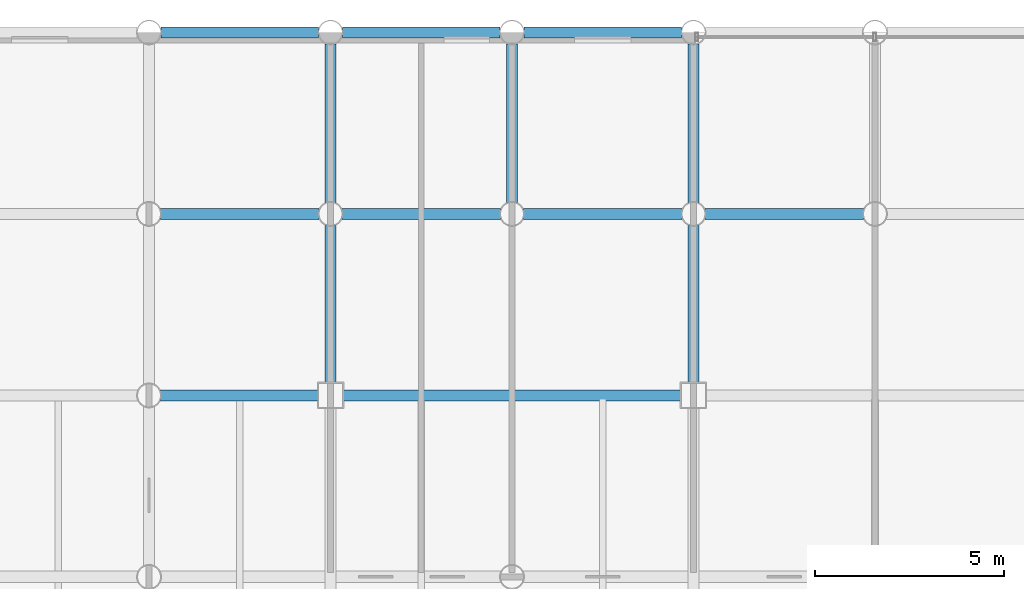
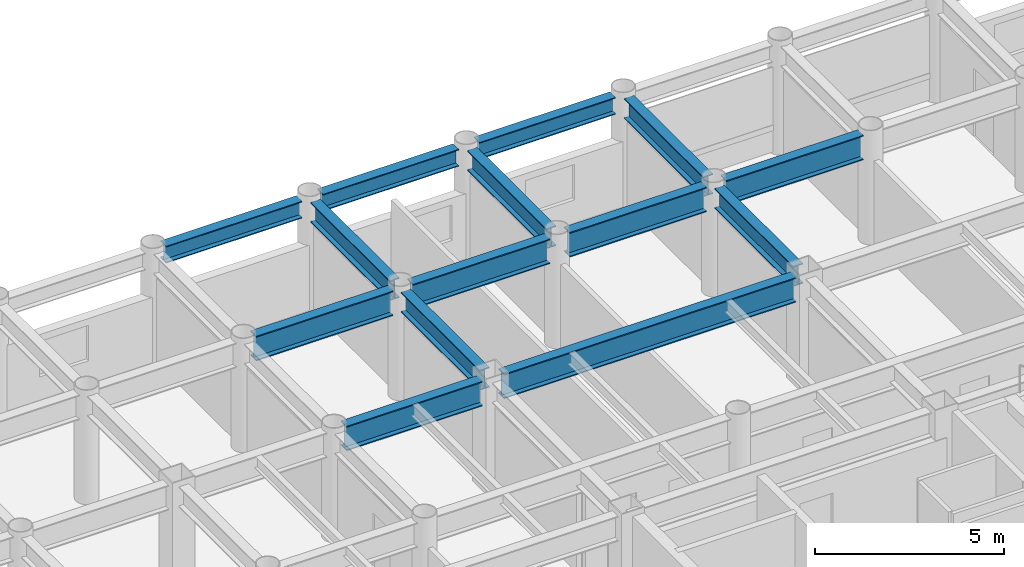
# One storey, part 11 of 20: 14 beams.
"""IFC4 building model written with IfcOpenShell, lengths in metres."""

from ifc_helpers import new_model, si_unit, direction, frame, origin, origin_2d, place, context, subcontext, project, spatial, i_section, extrude, material, material_profile, profile_set, type_object, element, save


model = new_model("IFC4")

# Units and contexts
model_context = context("Model", 3, precision=1e-05, world=origin(), true_north=direction((0.0, 1.0)))
body_context = subcontext(model_context, "Body", "Model", "MODEL_VIEW")
ifc_project = project(units=[si_unit("LENGTHUNIT", "METRE"), si_unit("AREAUNIT", "SQUARE_METRE"), si_unit("VOLUMEUNIT", "CUBIC_METRE"), si_unit("PLANEANGLEUNIT", "RADIAN"), si_unit("MASSUNIT", "GRAM", prefix="KILO")], contexts=[model_context])

# Site, building, storey
site_placement = place(None, origin())
site = spatial("IfcSite", under=ifc_project, at=site_placement, CompositionType="ELEMENT")
building_placement = place(site_placement, origin())
building = spatial("IfcBuilding", under=site, at=building_placement, Name="Kallvorn Hotel Tower", CompositionType="ELEMENT")
storey_placement = place(building_placement, frame((0.0, 0.0, 135.89990234375)))
storey = spatial("IfcBuildingStorey", under=building, at=storey_placement, Name="L33", CompositionType="ELEMENT", Elevation=135.89990234375)

# Beams
ifc_material_1 = material(Name="Structural steel S355JR", Category="steel")
ifc_material_profile_1 = material_profile(ifc_material_1, i_section(OverallWidth=0.300048828125, OverallDepth=0.550048828125, WebThickness=0.014892578125, FlangeThickness=0.029052734375, at=origin_2d()), Name="HE 550 B")
ifc_profile_set_1 = profile_set([ifc_material_profile_1], Name="Structural steel S355JR")
beam_type_1 = type_object("IfcBeamType", Name="BM_HE550B", PredefinedType="SPANDREL", material=ifc_profile_set_1)
beam_1_placement = place(storey_placement, frame((-18.8798828125, 24.0, 3.2451171875), z_axis=(1.0, 0.0, 0.0), x_axis=(0.0, 1.0, 0.0)))
element("IfcBeam", 1, at=beam_1_placement, inside=storey, type_object=beam_type_1, Name="L34 Perimeter Spandrel 165", PredefinedType="SPANDREL", context=body_context, shape_type="SweptSolid", body=[
    extrude(i_section(OverallWidth=0.300048828125, OverallDepth=0.550048828125, WebThickness=0.014892578125, FlangeThickness=0.029052734375, at=origin_2d()), origin(), (0.0, 0.0, 1.0), 4.159912109375),
])
beam_2_placement = place(storey_placement, frame((-14.080078125, 24.0, 3.2451171875), z_axis=(1.0, 0.0, 0.0), x_axis=(0.0, 1.0, 0.0)))
element("IfcBeam", 2, at=beam_2_placement, inside=storey, type_object=beam_type_1, Name="L34 Perimeter Spandrel 166", PredefinedType="SPANDREL", context=body_context, shape_type="SweptSolid", body=[
    extrude(i_section(OverallWidth=0.300048828125, OverallDepth=0.550048828125, WebThickness=0.014892578125, FlangeThickness=0.029052734375, at=origin_2d()), origin(), (0.0, 0.0, 1.0), 4.16015625),
])
beam_3_placement = place(storey_placement, frame((-9.280029296875, 24.0, 3.2451171875), z_axis=(1.0, 0.0, 0.0), x_axis=(0.0, 1.0, 0.0)))
element("IfcBeam", 3, at=beam_3_placement, inside=storey, type_object=beam_type_1, Name="L34 Perimeter Spandrel 167", PredefinedType="SPANDREL", context=body_context, shape_type="SweptSolid", body=[
    extrude(i_section(OverallWidth=0.300048828125, OverallDepth=0.550048828125, WebThickness=0.014892578125, FlangeThickness=0.029052734375, at=origin_2d()), origin(), (0.0, 0.0, 1.0), 4.159912109375),
])
ifc_material_2 = material(Name="Structural steel S355JR", Category="steel")
ifc_material_profile_2 = material_profile(ifc_material_2, i_section(OverallWidth=0.300048828125, OverallDepth=0.64990234375, WebThickness=0.01611328125, FlangeThickness=0.031005859375, at=origin_2d()), Name="HE 650 B")
ifc_profile_set_2 = profile_set([ifc_material_profile_2], Name="Structural steel S355JR")
beam_type_2 = type_object("IfcBeamType", Name="BM_HE650B", PredefinedType="BEAM", material=ifc_profile_set_2)
beam_4_placement = place(storey_placement, frame((-14.39990234375, 14.72509765625, 3.195068359375), z_axis=(0.0, 1.0, 0.0), x_axis=(-1.0, 0.0, 0.0)))
element("IfcBeam", 4, at=beam_4_placement, inside=storey, type_object=beam_type_2, Name="L34 Primary Y-Girder 101", PredefinedType="BEAM", context=body_context, shape_type="SweptSolid", body=[
    extrude(i_section(OverallWidth=0.300048828125, OverallDepth=0.64990234375, WebThickness=0.01611328125, FlangeThickness=0.031005859375, at=origin_2d()), origin(), (0.0, 0.0, 1.0), 4.169921875),
])
for number, where, z_axis, x_axis, name in (
    (5, (-14.39990234375, 19.5048828125, 3.195068359375), (0.0, 1.0, 0.0), (-1.0, 0.0, 0.0), "L34 Primary Y-Girder 102"),
    (6, (-9.60009765625, 19.5048828125, 3.195068359375), (0.0, 1.0, 0.0), (-1.0, 0.0, 0.0), "L34 Primary Y-Girder 105"),
):
    element("IfcBeam", number, at=place(storey_placement, frame(where, z_axis=z_axis, x_axis=x_axis)), inside=storey, type_object=beam_type_2, Name=name, PredefinedType="BEAM", context=body_context, shape_type="SweptSolid", body=[
        extrude(i_section(OverallWidth=0.300048828125, OverallDepth=0.64990234375, WebThickness=0.01611328125, FlangeThickness=0.031005859375, at=origin_2d()), origin(), (0.0, 0.0, 1.0), 4.190185546875),
    ])
beam_5_placement = place(storey_placement, frame((-4.800048828125, 14.72509765625, 3.195068359375), z_axis=(0.0, 1.0, 0.0), x_axis=(-1.0, 0.0, 0.0)))
element("IfcBeam", 7, at=beam_5_placement, inside=storey, type_object=beam_type_2, Name="L34 Primary Y-Girder 109", PredefinedType="BEAM", context=body_context, shape_type="SweptSolid", body=[
    extrude(i_section(OverallWidth=0.300048828125, OverallDepth=0.64990234375, WebThickness=0.01611328125, FlangeThickness=0.031005859375, at=origin_2d()), origin(), (0.0, 0.0, 1.0), 4.169921875),
])
beam_6_placement = place(storey_placement, frame((-4.800048828125, 19.5048828125, 3.195068359375), z_axis=(0.0, 1.0, 0.0), x_axis=(-1.0, 0.0, 0.0)))
element("IfcBeam", 8, at=beam_6_placement, inside=storey, type_object=beam_type_2, Name="L34 Primary Y-Girder 110", PredefinedType="BEAM", context=body_context, shape_type="SweptSolid", body=[
    extrude(i_section(OverallWidth=0.300048828125, OverallDepth=0.64990234375, WebThickness=0.01611328125, FlangeThickness=0.031005859375, at=origin_2d()), origin(), (0.0, 0.0, 1.0), 4.190185546875),
])
ifc_material_3 = material(Name="Structural steel S355JR", Category="steel")
ifc_material_profile_3 = material_profile(ifc_material_3, i_section(OverallWidth=0.300048828125, OverallDepth=0.800048828125, WebThickness=0.017578125, FlangeThickness=0.032958984375, at=origin_2d()), Name="HE 800 B")
ifc_profile_set_3 = profile_set([ifc_material_profile_3], Name="Structural steel S355JR")
beam_type_3 = type_object("IfcBeamType", Name="BM_HE800B", PredefinedType="BEAM", material=ifc_profile_set_3)
beam_7_placement = place(storey_placement, frame((-18.89501953125, 14.39990234375, 3.1201171875), z_axis=(1.0, 0.0, 0.0), x_axis=(0.0, 1.0, 0.0)))
element("IfcBeam", 9, at=beam_7_placement, inside=storey, type_object=beam_type_3, Name="L34 Primary X-Girder 53", PredefinedType="BEAM", context=body_context, shape_type="SweptSolid", body=[
    extrude(i_section(OverallWidth=0.300048828125, OverallDepth=0.800048828125, WebThickness=0.017578125, FlangeThickness=0.032958984375, at=origin_2d()), origin(), (0.0, 0.0, 1.0), 4.169921875),
])
beam_8_placement = place(storey_placement, frame((-14.074951171875, 14.39990234375, 3.1201171875), z_axis=(1.0, 0.0, 0.0), x_axis=(0.0, 1.0, 0.0)))
element("IfcBeam", 10, at=beam_8_placement, inside=storey, type_object=beam_type_3, Name="L34 Primary X-Girder 54", PredefinedType="BEAM", context=body_context, shape_type="SweptSolid", body=[
    extrude(i_section(OverallWidth=0.300048828125, OverallDepth=0.800048828125, WebThickness=0.017578125, FlangeThickness=0.032958984375, at=origin_2d()), origin(), (0.0, 0.0, 1.0), 8.949951171875),
])
for number, where, z_axis, x_axis, name in (
    (11, (-18.89501953125, 19.199951171875, 3.1201171875), (1.0, 0.0, 0.0), (0.0, 1.0, 0.0), "L34 Primary X-Girder 63"),
    (12, (-14.094970703125, 19.199951171875, 3.1201171875), (1.0, 0.0, 0.0), (0.0, 1.0, 0.0), "L34 Primary X-Girder 64"),
    (13, (-9.294921875, 19.199951171875, 3.1201171875), (1.0, 0.0, 0.0), (0.0, 1.0, 0.0), "L34 Primary X-Girder 65"),
):
    element("IfcBeam", number, at=place(storey_placement, frame(where, z_axis=z_axis, x_axis=x_axis)), inside=storey, type_object=beam_type_3, Name=name, PredefinedType="BEAM", context=body_context, shape_type="SweptSolid", body=[
        extrude(i_section(OverallWidth=0.300048828125, OverallDepth=0.800048828125, WebThickness=0.017578125, FlangeThickness=0.032958984375, at=origin_2d()), origin(), (0.0, 0.0, 1.0), 4.18994140625),
    ])
beam_9_placement = place(storey_placement, frame((-4.4951171875, 19.199951171875, 3.1201171875), z_axis=(1.0, 0.0, 0.0), x_axis=(0.0, 1.0, 0.0)))
element("IfcBeam", 14, at=beam_9_placement, inside=storey, type_object=beam_type_3, Name="L34 Primary X-Girder 66", PredefinedType="BEAM", context=body_context, shape_type="SweptSolid", body=[
    extrude(i_section(OverallWidth=0.300048828125, OverallDepth=0.800048828125, WebThickness=0.017578125, FlangeThickness=0.032958984375, at=origin_2d()), origin(), (0.0, 0.0, 1.0), 4.190185546875),
])

save(model, "model.ifc")
